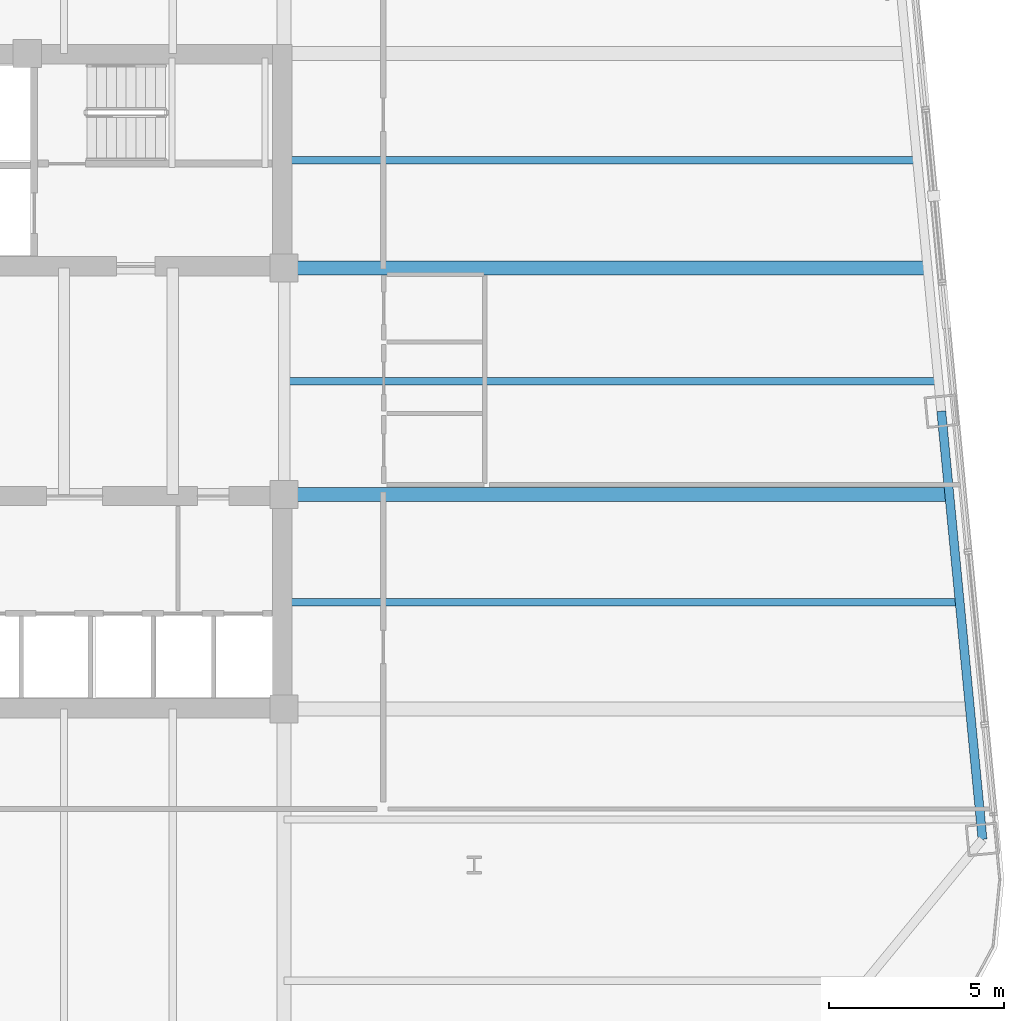
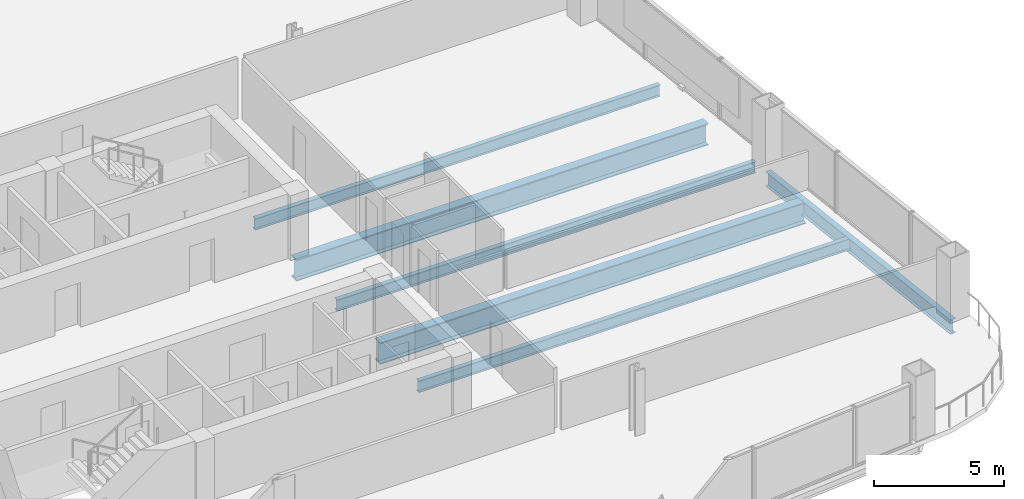
# One storey, part 12 of 27: 6 beams.
"""IFC4 building model written with IfcOpenShell, lengths in metres."""

from ifc_helpers import new_model, si_unit, direction, frame, origin, origin_2d, place, context, subcontext, project, spatial, i_section, extrude, material, material_profile, profile_set, type_object, element, save


model = new_model("IFC4")

# Units and contexts
model_context = context("Model", 3, precision=1e-05, world=origin(), true_north=direction((0.0, 1.0)))
body_context = subcontext(model_context, "Body", "Model", "MODEL_VIEW")
ifc_project = project(units=[si_unit("LENGTHUNIT", "METRE"), si_unit("AREAUNIT", "SQUARE_METRE"), si_unit("VOLUMEUNIT", "CUBIC_METRE"), si_unit("PLANEANGLEUNIT", "RADIAN"), si_unit("MASSUNIT", "GRAM", prefix="KILO")], contexts=[model_context])

# Site, building, storey
site_placement = place(None, origin())
site = spatial("IfcSite", under=ifc_project, at=site_placement, CompositionType="ELEMENT")
building_placement = place(site_placement, origin())
building = spatial("IfcBuilding", under=site, at=building_placement, Name="Qhalaya Broadcast Tower", CompositionType="ELEMENT")
storey_placement = place(building_placement, frame((0.0, 0.0, 75.550048828125)))
storey = spatial("IfcBuildingStorey", under=building, at=storey_placement, Name="L21", CompositionType="ELEMENT", Elevation=75.550048828125)

# Beams
ifc_material = material(Name="Structural Steel ASTM A992 Grade 50", Category="steel")
ifc_material_profile_1 = material_profile(ifc_material, i_section(OverallWidth=0.2099609375, OverallDepth=0.535888671875, WebThickness=0.010986328125, FlangeThickness=0.017333984375, at=origin_2d()), Name="W21X68")
ifc_profile_set_1 = profile_set([ifc_material_profile_1], Name="Structural Steel ASTM A992 Grade 50")
beam_type_1 = type_object("IfcBeamType", Name="Composite Floor Joist J02", PredefinedType="JOIST", material=ifc_profile_set_1)
beam_1_placement = place(storey_placement, frame((9.375, -5.699951171875, -0.488037109375), z_axis=(1.0, 0.0, 0.0), x_axis=(0.0, 1.0, 0.0)))
element("IfcBeam", 1, at=beam_1_placement, inside=storey, type_object=beam_type_1, Name="L21 J02 L21-JWE3E-1", PredefinedType="JOIST", context=body_context, shape_type="SweptSolid", body=[
    extrude(i_section(OverallWidth=0.2099609375, OverallDepth=0.535888671875, WebThickness=0.010986328125, FlangeThickness=0.017333984375, at=origin_2d()), origin(), (0.0, 0.0, 1.0), 19.24609375),
])
beam_2_placement = place(storey_placement, frame((9.375, 0.60009765625, -0.488037109375), z_axis=(1.0, 0.0, 0.0), x_axis=(0.0, 1.0, 0.0)))
element("IfcBeam", 2, at=beam_2_placement, inside=storey, type_object=beam_type_1, Name="L21 J02 L21-JWE4E-1", PredefinedType="JOIST", context=body_context, shape_type="SweptSolid", body=[
    extrude(i_section(OverallWidth=0.2099609375, OverallDepth=0.535888671875, WebThickness=0.010986328125, FlangeThickness=0.017333984375, at=origin_2d()), origin(), (0.0, 0.0, 1.0), 18.639404296875),
])
beam_3_placement = place(storey_placement, frame((9.375, 6.89990234375, -0.488037109375), z_axis=(1.0, 0.0, 0.0), x_axis=(0.0, 1.0, 0.0)))
element("IfcBeam", 3, at=beam_3_placement, inside=storey, type_object=beam_type_1, Name="L21 J02 L21-JWE5E-1", PredefinedType="JOIST", context=body_context, shape_type="SweptSolid", body=[
    extrude(i_section(OverallWidth=0.2099609375, OverallDepth=0.535888671875, WebThickness=0.010986328125, FlangeThickness=0.017333984375, at=origin_2d()), origin(), (0.0, 0.0, 1.0), 18.03271484375),
])
ifc_material_profile_2 = material_profile(ifc_material, i_section(OverallWidth=0.40087890625, OverallDepth=1.010986328125, WebThickness=0.023681640625, FlangeThickness=0.0419921875, at=origin_2d()), Name="W40X297")
ifc_profile_set_2 = profile_set([ifc_material_profile_2], Name="Structural Steel ASTM A992 Grade 50")
beam_type_2 = type_object("IfcBeamType", Name="Lower Block Primary Girder PG2", PredefinedType="USERDEFINED", material=ifc_profile_set_2)
beam_4_placement = place(storey_placement, frame((9.375, -2.625, -0.7255859375), z_axis=(1.0, 0.0, 0.0), x_axis=(0.0, 1.0, 0.0)))
element("IfcBeam", 4, at=beam_4_placement, inside=storey, type_object=beam_type_2, Name="L21 PG2 L21-PGYE2-1", ObjectType="GIRDER", PredefinedType="USERDEFINED", context=body_context, shape_type="SweptSolid", body=[
    extrude(i_section(OverallWidth=0.40087890625, OverallDepth=1.010986328125, WebThickness=0.023681640625, FlangeThickness=0.0419921875, at=origin_2d()), origin(), (0.0, 0.0, 1.0), 18.949951171875),
])
beam_5_placement = place(storey_placement, frame((9.375, 3.824951171875, -0.7255859375), z_axis=(1.0, 0.0, 0.0), x_axis=(0.0, 1.0, 0.0)))
element("IfcBeam", 5, at=beam_5_placement, inside=storey, type_object=beam_type_2, Name="L21 PG2 L21-PGYE3-1", ObjectType="GIRDER", PredefinedType="USERDEFINED", context=body_context, shape_type="SweptSolid", body=[
    extrude(i_section(OverallWidth=0.40087890625, OverallDepth=1.010986328125, WebThickness=0.023681640625, FlangeThickness=0.0419921875, at=origin_2d()), origin(), (0.0, 0.0, 1.0), 18.328857421875),
])
ifc_material_profile_3 = material_profile(ifc_material, i_section(OverallWidth=0.25390625, OverallDepth=0.68310546875, WebThickness=0.012451171875, FlangeThickness=0.01904296875, at=origin_2d()), Name="W27X94")
ifc_profile_set_3 = profile_set([ifc_material_profile_3], Name="Structural Steel ASTM A992 Grade 50")
beam_type_3 = type_object("IfcBeamType", Name="Perimeter Ring Spandrel Beam SP1", PredefinedType="SPANDREL", material=ifc_profile_set_3)
beam_6_placement = place(storey_placement, frame((29.29248046875, -12.46533203125, -0.5615234375), z_axis=(-0.095831866369, 0.995397535354, 0.0), x_axis=(-0.995397535354, -0.095831866369, 0.0)))
element("IfcBeam", 6, at=beam_6_placement, inside=storey, type_object=beam_type_3, Name="L21 SP1 L21-SPR-05", PredefinedType="SPANDREL", context=body_context, shape_type="SweptSolid", body=[
    extrude(i_section(OverallWidth=0.25390625, OverallDepth=0.68310546875, WebThickness=0.012451171875, FlangeThickness=0.01904296875, at=origin_2d()), origin(), (0.0, 0.0, 1.0), 12.2666015625),
])

save(model, "model.ifc")
